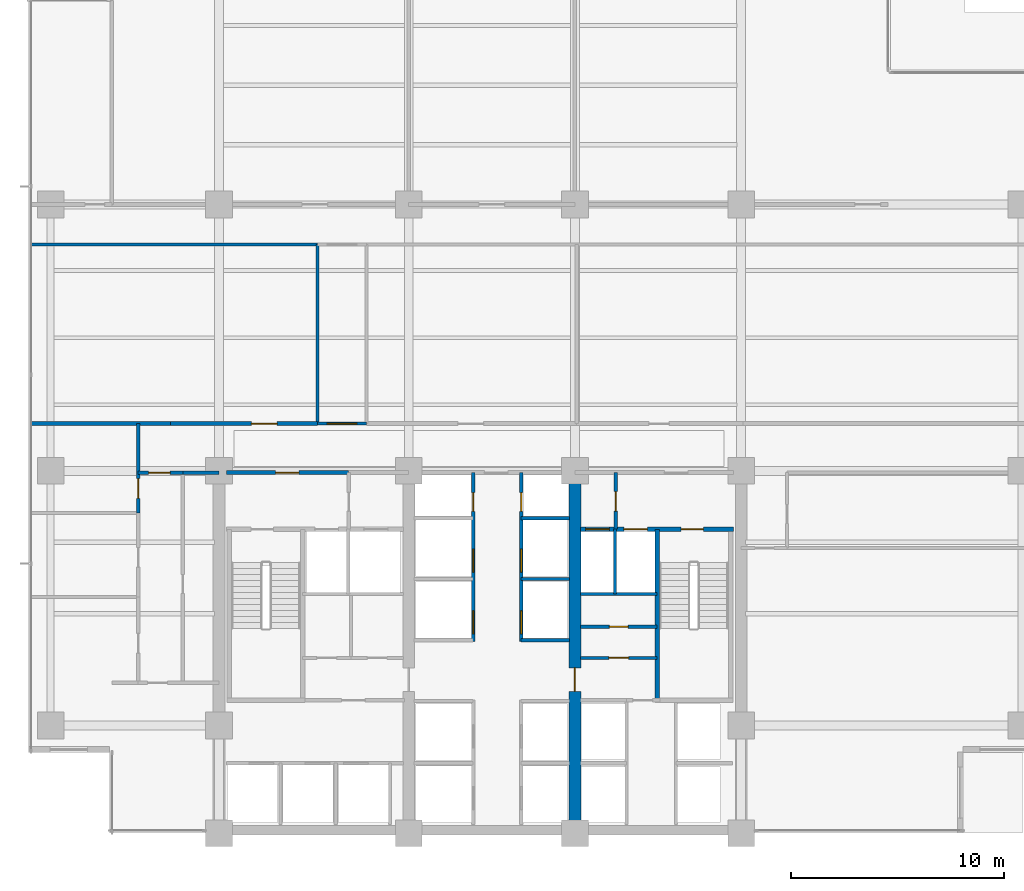
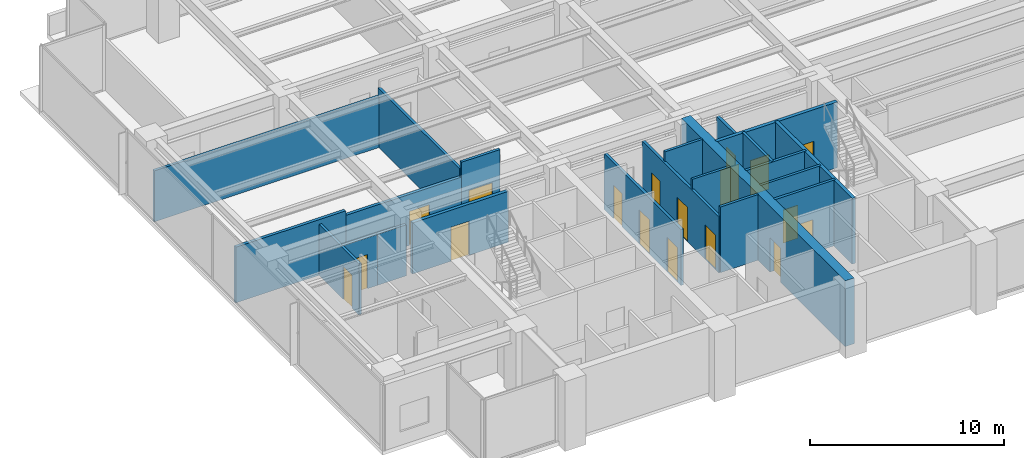
# One storey, part 9 of 16: 22 walls, 18 doors, 18 openings.
"""IFC4 building model written with IfcOpenShell, lengths in metres."""

from ifc_helpers import new_model, si_unit, direction, frame, frame_2d, origin, place, context, subcontext, project, spatial, rectangle, extrude, material, layer, layer_set, type_object, element, fill, save


model = new_model("IFC4")

# Units and contexts
model_context = context("Model", 3, precision=1e-05, world=origin(), true_north=direction((0.0, 1.0)))
body_context = subcontext(model_context, "Body", "Model", "MODEL_VIEW")
ifc_project = project(units=[si_unit("LENGTHUNIT", "METRE"), si_unit("AREAUNIT", "SQUARE_METRE"), si_unit("VOLUMEUNIT", "CUBIC_METRE"), si_unit("PLANEANGLEUNIT", "RADIAN"), si_unit("MASSUNIT", "GRAM", prefix="KILO")], contexts=[model_context])

# Site, building, storey
site_placement = place(None, origin())
site = spatial("IfcSite", under=ifc_project, at=site_placement, CompositionType="ELEMENT")
building_placement = place(site_placement, origin())
building = spatial("IfcBuilding", under=site, at=building_placement, Name="Qalmaran Belvedere Hotel", CompositionType="ELEMENT")
storey_placement = place(building_placement, frame((0.0, 0.0, 83.800048828125)))
storey = spatial("IfcBuildingStorey", under=building, at=storey_placement, Name="L20", CompositionType="ELEMENT", Elevation=83.800048828125)

# Wall, opening, door
ifc_material_1 = material(Name="Concrete C60/75", Category="concrete")
ifc_layer_1 = layer(ifc_material_1, 0.550048828125, Name="Concrete C60/75")
ifc_layer_set_1 = layer_set([ifc_layer_1], Name="Concrete C60/75")
wall_type_1 = type_object("IfcWallType", Name="WL-CORE-550-C60", PredefinedType="SHEAR", material=ifc_layer_set_1)
wall_1_placement = place(storey_placement, frame((37.0, 3.5, 0.0), z_axis=(0.0, 0.0, 1.0), x_axis=(0.0, 1.0, 0.0)))
wall_1 = element("IfcWall", 1, at=wall_1_placement, inside=storey, type_object=wall_type_1, Name="L20 Core East Spine Shear Wall", PredefinedType="SHEAR", context=body_context, shape_type="SweptSolid", body=[
    extrude(rectangle(XDim=16.89990234375, YDim=0.550048828125, at=frame_2d((8.449951171875, 0.0))), origin(), (0.0, 0.0, 1.0), 4.139892578125),
])
opening_1_placement = place(wall_1_placement, frame((6.64990234375, 0.0, 0.0)))
opening_1 = element("IfcOpeningElement", 2, at=opening_1_placement, cuts=wall_1, Name="Opening FD90", PredefinedType="OPENING", context=body_context, shape_type="SweptSolid", body=[
    extrude(rectangle(XDim=1.10009765625, YDim=2.14990234375, at=frame_2d((0.550048828125, 1.074951171875))), frame((0.0, 0.28515625, 0.0), z_axis=(0.0, -1.0, 0.0), x_axis=(1.0, 0.0, 0.0)), (0.0, 0.0, 1.0), 0.570068359375),
])
ifc_material_2 = material(Name="Steel S355JR", Category="steel")
door_type_1 = type_object("IfcDoorType", Name="DR-FD90-1100X2150", OperationType="NOTDEFINED", PredefinedType="DOOR", material=ifc_material_2)
door_1_placement = place(opening_1_placement, origin())
door_1 = element("IfcDoor", 3, at=door_1_placement, inside=storey, type_object=door_type_1, Name="L20 Core East Cross-Lobby Door", OperationType="SINGLE_SWING_LEFT", OverallHeight=2.14990234375, OverallWidth=1.10009765625, PredefinedType="DOOR", context=body_context, shape_type="SweptSolid", body=[
    extrude(rectangle(XDim=1.10009765625, YDim=2.14990234375, at=frame_2d((0.550048828125, 1.074951171875))), frame((0.0, 0.02490234375, 0.0), z_axis=(0.0, -1.0, 0.0), x_axis=(1.0, 0.0, 0.0)), (0.0, 0.0, 1.0), 0.050048828125),
])
fill(opening_1, door_1)

# Walls
ifc_material_3 = material(Name="Gypsum Stud Partition")
ifc_layer_2 = layer(ifc_material_3, 0.14990234375, Name="Gypsum Stud Partition")
ifc_layer_set_2 = layer_set([ifc_layer_2], Name="Gypsum Stud Partition")
wall_type_2 = type_object("IfcWallType", Name="WL-INT-150-EI120", PredefinedType="PARTITIONING", material=ifc_layer_set_2)
wall_2_placement = place(storey_placement, frame((38.8798828125, 14.719970703125, 0.0), z_axis=(0.0, 0.0, 1.0), x_axis=(0.0, 1.0, 0.0)))
element("IfcWall", 4, at=wall_2_placement, inside=storey, type_object=wall_type_2, Name="L20 Partition WL-FF2M-L20", PredefinedType="PARTITIONING", context=body_context, shape_type="SweptSolid", body=[
    extrude(rectangle(XDim=3.0400390625, YDim=0.14990234375, at=frame_2d((1.52001953125, 0.0))), origin(), (0.0, 0.0, 1.0), 4.139892578125),
])
for number, where, z_axis, x_axis, name in (
    (5, (34.47998046875, 12.550048828125, 0.0), (0.0, 0.0, 1.0), (1.0, 0.0, 0.0), "L20 Partition WL-PME-L20-125"),
    (6, (34.47998046875, 15.419921875, 0.0), (0.0, 0.0, 1.0), (1.0, 0.0, 0.0), "L20 Partition WL-PME-L20-154"),
    (7, (34.47998046875, 18.280029296875, 0.0), (0.0, 0.0, 1.0), (1.0, 0.0, 0.0), "L20 Partition WL-PME-L20-182"),
):
    element("IfcWall", number, at=place(storey_placement, frame(where, z_axis=z_axis, x_axis=x_axis)), inside=storey, type_object=wall_type_2, Name=name, PredefinedType="PARTITIONING", context=body_context, shape_type="SweptSolid", body=[
        extrude(rectangle(XDim=2.27001953125, YDim=0.14990234375, at=frame_2d((1.135009765625, 0.0))), origin(), (0.0, 0.0, 1.0), 4.139892578125),
    ])

# Wall, opening, door
ifc_layer_3 = layer(ifc_material_3, 0.14990234375, Name="Gypsum Stud Partition")
ifc_layer_set_3 = layer_set([ifc_layer_3], Name="Gypsum Stud Partition")
wall_type_3 = type_object("IfcWallType", Name="WL-INT-150-EI60", PredefinedType="PARTITIONING", material=ifc_layer_set_3)
wall_3_placement = place(storey_placement, frame((37.25, 13.18505859375, 0.0), z_axis=(0.0, 0.0, 1.0), x_axis=(1.0, 0.0, 0.0)))
wall_3 = element("IfcWall", 8, at=wall_3_placement, inside=storey, type_object=wall_type_3, Name="L20 Partition WL-L20-KEHM", PredefinedType="PARTITIONING", context=body_context, shape_type="SweptSolid", body=[
    extrude(rectangle(XDim=3.610107421875, YDim=0.14990234375, at=frame_2d((1.80517578125, 0.0))), origin(), (0.0, 0.0, 1.0), 4.139892578125),
])
opening_2_placement = place(wall_3_placement, frame((1.364990234375, 0.0, 0.0)))
opening_2 = element("IfcOpeningElement", 9, at=opening_2_placement, cuts=wall_3, Name="Opening FD60B", PredefinedType="OPENING", context=body_context, shape_type="SweptSolid", body=[
    extrude(rectangle(XDim=0.8798828125, YDim=2.080078125, at=frame_2d((0.43994140625, 1.0400390625))), frame((0.0, 0.0849609375, 0.0), z_axis=(0.0, -1.0, 0.0), x_axis=(1.0, 0.0, 0.0)), (0.0, 0.0, 1.0), 0.169921875),
])
door_type_2 = type_object("IfcDoorType", Name="DR-FD60B-880X2080", OperationType="NOTDEFINED", PredefinedType="DOOR", material=ifc_material_2)
door_2_placement = place(opening_2_placement, origin())
door_2 = element("IfcDoor", 10, at=door_2_placement, inside=storey, type_object=door_type_2, Name="L20 Hotel Linen Closet Door", OperationType="SINGLE_SWING_RIGHT", OverallHeight=2.080078125, OverallWidth=0.8798828125, PredefinedType="DOOR", context=body_context, shape_type="SweptSolid", body=[
    extrude(rectangle(XDim=0.8798828125, YDim=2.080078125, at=frame_2d((0.43994140625, 1.0400390625))), frame((0.0, 0.02490234375, 0.0), z_axis=(0.0, -1.0, 0.0), x_axis=(1.0, 0.0, 0.0)), (0.0, 0.0, 1.0), 0.050048828125),
])
fill(opening_2, door_2)

ifc_layer_4 = layer(ifc_material_3, 0.159912109375, Name="Gypsum Stud Partition")
ifc_layer_set_4 = layer_set([ifc_layer_4], Name="Gypsum Stud Partition")
wall_type_4 = type_object("IfcWallType", Name="WL-INT-160-EI120", PredefinedType="PARTITIONING", material=ifc_layer_set_4)
wall_4_placement = place(storey_placement, frame((38.919921875, 17.760009765625, 0.0), z_axis=(0.0, 0.0, 1.0), x_axis=(0.0, 1.0, 0.0)))
wall_4 = element("IfcWall", 11, at=wall_4_placement, inside=storey, type_object=wall_type_4, Name="L20 Partition WL-FFSV2-L20", PredefinedType="PARTITIONING", context=body_context, shape_type="SweptSolid", body=[
    extrude(rectangle(XDim=2.659912109375, YDim=0.159912109375, at=frame_2d((1.330078125, 0.0))), origin(), (0.0, 0.0, 1.0), 3.513916015625),
])
opening_3_placement = place(wall_4_placement, frame((1.77001953125, 0.0, 0.0), z_axis=(0.0, 0.0, 1.0), x_axis=(-1.0, 0.0, 0.0)))
opening_3 = element("IfcOpeningElement", 12, at=opening_3_placement, cuts=wall_4, Name="Opening FD60S1", PredefinedType="OPENING", context=body_context, shape_type="SweptSolid", body=[
    extrude(rectangle(XDim=0.919921875, YDim=2.080078125, at=frame_2d((0.4599609375, 1.0400390625))), frame((0.0, 0.08984375, 0.0), z_axis=(0.0, -1.0, 0.0), x_axis=(1.0, 0.0, 0.0)), (0.0, 0.0, 1.0), 0.179931640625),
])
ifc_material_4 = material(Name="Engineered Oak Veneer")
door_type_3 = type_object("IfcDoorType", Name="DR-FD60S-920X2080", OperationType="NOTDEFINED", PredefinedType="DOOR", material=ifc_material_4)
door_3_placement = place(opening_3_placement, origin())
door_3 = element("IfcDoor", 13, at=door_3_placement, inside=storey, type_object=door_type_3, Name="L20 Service Lobby East Door", OperationType="SINGLE_SWING_LEFT", OverallHeight=2.080078125, OverallWidth=0.919921875, PredefinedType="DOOR", context=body_context, shape_type="SweptSolid", body=[
    extrude(rectangle(XDim=0.919921875, YDim=2.080078125, at=frame_2d((0.4599609375, 1.0400390625))), frame((0.0, 0.02490234375, 0.0), z_axis=(0.0, -1.0, 0.0), x_axis=(1.0, 0.0, 0.0)), (0.0, 0.0, 1.0), 0.050048828125),
])
fill(opening_3, door_3)

# Wall
wall_5_placement = place(storey_placement, frame((37.25, 14.719970703125, 0.0), z_axis=(0.0, 0.0, 1.0), x_axis=(1.0, 0.0, 0.0)))
element("IfcWall", 14, at=wall_5_placement, inside=storey, type_object=wall_type_4, Name="L20 Partition WL-FF2S-L20", PredefinedType="PARTITIONING", context=body_context, shape_type="SweptSolid", body=[
    extrude(rectangle(XDim=3.610107421875, YDim=0.159912109375, at=frame_2d((1.80517578125, 0.0))), origin(), (0.0, 0.0, 1.0), 4.139892578125),
])

# Wall, openings, doors
wall_6_placement = place(storey_placement, frame((32.219970703125, 12.5, 0.0), z_axis=(0.0, 0.0, 1.0), x_axis=(0.0, 1.0, 0.0)))
wall_6 = element("IfcWall", 15, at=wall_6_placement, inside=storey, type_object=wall_type_4, Name="L20 Partition WL-CLBWN-L20", PredefinedType="PARTITIONING", context=body_context, shape_type="SweptSolid", body=[
    extrude(rectangle(XDim=7.919921875, YDim=0.159912109375, at=frame_2d((3.9599609375, 0.0))), origin(), (0.0, 0.0, 1.0), 3.513916015625),
])
opening_4_placement = place(wall_6_placement, frame((1.43017578125, 0.0, 0.0), z_axis=(0.0, 0.0, 1.0), x_axis=(-1.0, 0.0, 0.0)))
opening_4 = element("IfcOpeningElement", 16, at=opening_4_placement, cuts=wall_6, Name="Opening LD-P1", PredefinedType="OPENING", context=body_context, shape_type="SweptSolid", body=[
    extrude(rectangle(XDim=1.080078125, YDim=2.159912109375, at=frame_2d((0.5400390625, 1.080078125))), frame((0.0, 0.08984375, 0.0), z_axis=(0.0, -1.0, 0.0), x_axis=(1.0, 0.0, 0.0)), (0.0, 0.0, 1.0), 0.179931640625),
])
opening_5_placement = place(wall_6_placement, frame((4.330078125, 0.0, 0.0), z_axis=(0.0, 0.0, 1.0), x_axis=(-1.0, 0.0, 0.0)))
opening_5 = element("IfcOpeningElement", 17, at=opening_5_placement, cuts=wall_6, Name="Opening LD-P1", PredefinedType="OPENING", context=body_context, shape_type="SweptSolid", body=[
    extrude(rectangle(XDim=1.080078125, YDim=2.159912109375, at=frame_2d((0.5400390625, 1.080078125))), frame((0.0, 0.08984375, 0.0), z_axis=(0.0, -1.0, 0.0), x_axis=(1.0, 0.0, 0.0)), (0.0, 0.0, 1.0), 0.179931640625),
])
opening_6_placement = place(wall_6_placement, frame((6.10009765625, 0.0, 0.0)))
opening_6 = element("IfcOpeningElement", 18, at=opening_6_placement, cuts=wall_6, Name="Opening FD60B", PredefinedType="OPENING", context=body_context, shape_type="SweptSolid", body=[
    extrude(rectangle(XDim=0.8798828125, YDim=2.080078125, at=frame_2d((0.43994140625, 1.0400390625))), frame((0.0, 0.08984375, 0.0), z_axis=(0.0, -1.0, 0.0), x_axis=(1.0, 0.0, 0.0)), (0.0, 0.0, 1.0), 0.179931640625),
])
door_4_placement = place(opening_6_placement, origin())
door_4 = element("IfcDoor", 19, at=door_4_placement, inside=storey, type_object=door_type_2, Name="L20 West Riser Access Door", OperationType="SINGLE_SWING_LEFT", OverallHeight=2.080078125, OverallWidth=0.8798828125, PredefinedType="DOOR", context=body_context, shape_type="SweptSolid", body=[
    extrude(rectangle(XDim=0.8798828125, YDim=2.080078125, at=frame_2d((0.43994140625, 1.0400390625))), frame((0.0, 0.02490234375, 0.0), z_axis=(0.0, -1.0, 0.0), x_axis=(1.0, 0.0, 0.0)), (0.0, 0.0, 1.0), 0.050048828125),
])
fill(opening_6, door_4)
ifc_material_5 = material(Name="Stainless Steel 1.4401", Category="steel")
door_type_4 = type_object("IfcDoorType", Name="DR-LIFT-P1-1080X2160", OperationType="DOUBLE_DOOR_SLIDING", PredefinedType="DOOR", material=ifc_material_5)
door_5_placement = place(opening_4_placement, origin())
door_5 = element("IfcDoor", 20, at=door_5_placement, inside=storey, type_object=door_type_4, Name="L20 PM1 Lift Landing Door", OperationType="DOUBLE_DOOR_SLIDING", OverallHeight=2.159912109375, OverallWidth=1.080078125, PredefinedType="DOOR", context=body_context, shape_type="SweptSolid", body=[
    extrude(rectangle(XDim=1.080078125, YDim=2.159912109375, at=frame_2d((0.5400390625, 1.080078125))), frame((0.0, 0.02490234375, 0.0), z_axis=(0.0, -1.0, 0.0), x_axis=(1.0, 0.0, 0.0)), (0.0, 0.0, 1.0), 0.050048828125),
])
fill(opening_4, door_5)
door_6_placement = place(opening_5_placement, origin())
door_6 = element("IfcDoor", 21, at=door_6_placement, inside=storey, type_object=door_type_4, Name="L20 PM2 Lift Landing Door", OperationType="DOUBLE_DOOR_SLIDING", OverallHeight=2.159912109375, OverallWidth=1.080078125, PredefinedType="DOOR", context=body_context, shape_type="SweptSolid", body=[
    extrude(rectangle(XDim=1.080078125, YDim=2.159912109375, at=frame_2d((0.5400390625, 1.080078125))), frame((0.0, 0.02490234375, 0.0), z_axis=(0.0, -1.0, 0.0), x_axis=(1.0, 0.0, 0.0)), (0.0, 0.0, 1.0), 0.050048828125),
])
fill(opening_5, door_6)

wall_7_placement = place(storey_placement, frame((34.47998046875, 12.5, 0.0), z_axis=(0.0, 0.0, 1.0), x_axis=(0.0, 1.0, 0.0)))
wall_7 = element("IfcWall", 22, at=wall_7_placement, inside=storey, type_object=wall_type_4, Name="L20 Partition WL-CLBEN-L20", PredefinedType="PARTITIONING", context=body_context, shape_type="SweptSolid", body=[
    extrude(rectangle(XDim=7.919921875, YDim=0.159912109375, at=frame_2d((3.9599609375, 0.0))), origin(), (0.0, 0.0, 1.0), 3.513916015625),
])
opening_7_placement = place(wall_7_placement, frame((0.35009765625, 0.0, 0.0)))
opening_7 = element("IfcOpeningElement", 23, at=opening_7_placement, cuts=wall_7, Name="Opening LD-P1", PredefinedType="OPENING", context=body_context, shape_type="SweptSolid", body=[
    extrude(rectangle(XDim=1.080078125, YDim=2.159912109375, at=frame_2d((0.5400390625, 1.080078125))), frame((0.0, 0.08984375, 0.0), z_axis=(0.0, -1.0, 0.0), x_axis=(1.0, 0.0, 0.0)), (0.0, 0.0, 1.0), 0.179931640625),
])
opening_8_placement = place(wall_7_placement, frame((3.25, 0.0, 0.0)))
opening_8 = element("IfcOpeningElement", 24, at=opening_8_placement, cuts=wall_7, Name="Opening LD-P1", PredefinedType="OPENING", context=body_context, shape_type="SweptSolid", body=[
    extrude(rectangle(XDim=1.080078125, YDim=2.159912109375, at=frame_2d((0.5400390625, 1.080078125))), frame((0.0, 0.08984375, 0.0), z_axis=(0.0, -1.0, 0.0), x_axis=(1.0, 0.0, 0.0)), (0.0, 0.0, 1.0), 0.179931640625),
])
opening_9_placement = place(wall_7_placement, frame((6.97998046875, 0.0, 0.0), z_axis=(0.0, 0.0, 1.0), x_axis=(-1.0, 0.0, 0.0)))
opening_9 = element("IfcOpeningElement", 25, at=opening_9_placement, cuts=wall_7, Name="Opening FD60B", PredefinedType="OPENING", context=body_context, shape_type="SweptSolid", body=[
    extrude(rectangle(XDim=0.8798828125, YDim=2.080078125, at=frame_2d((0.43994140625, 1.0400390625))), frame((0.0, 0.08984375, 0.0), z_axis=(0.0, -1.0, 0.0), x_axis=(1.0, 0.0, 0.0)), (0.0, 0.0, 1.0), 0.179931640625),
])
door_7_placement = place(opening_9_placement, origin())
door_7 = element("IfcDoor", 26, at=door_7_placement, inside=storey, type_object=door_type_2, Name="L20 East Riser Access Door", OperationType="SINGLE_SWING_RIGHT", OverallHeight=2.080078125, OverallWidth=0.8798828125, PredefinedType="DOOR", context=body_context, shape_type="SweptSolid", body=[
    extrude(rectangle(XDim=0.8798828125, YDim=2.080078125, at=frame_2d((0.43994140625, 1.0400390625))), frame((0.0, 0.02490234375, 0.0), z_axis=(0.0, -1.0, 0.0), x_axis=(1.0, 0.0, 0.0)), (0.0, 0.0, 1.0), 0.050048828125),
])
fill(opening_9, door_7)
door_8_placement = place(opening_7_placement, origin())
door_8 = element("IfcDoor", 27, at=door_8_placement, inside=storey, type_object=door_type_4, Name="L20 PM3 Lift Landing Door", OperationType="DOUBLE_DOOR_SLIDING", OverallHeight=2.159912109375, OverallWidth=1.080078125, PredefinedType="DOOR", context=body_context, shape_type="SweptSolid", body=[
    extrude(rectangle(XDim=1.080078125, YDim=2.159912109375, at=frame_2d((0.5400390625, 1.080078125))), frame((0.0, 0.02490234375, 0.0), z_axis=(0.0, -1.0, 0.0), x_axis=(1.0, 0.0, 0.0)), (0.0, 0.0, 1.0), 0.050048828125),
])
fill(opening_7, door_8)
door_9_placement = place(opening_8_placement, origin())
door_9 = element("IfcDoor", 28, at=door_9_placement, inside=storey, type_object=door_type_4, Name="L20 PM4 Lift Landing Door", OperationType="DOUBLE_DOOR_SLIDING", OverallHeight=2.159912109375, OverallWidth=1.080078125, PredefinedType="DOOR", context=body_context, shape_type="SweptSolid", body=[
    extrude(rectangle(XDim=1.080078125, YDim=2.159912109375, at=frame_2d((0.5400390625, 1.080078125))), frame((0.0, 0.02490234375, 0.0), z_axis=(0.0, -1.0, 0.0), x_axis=(1.0, 0.0, 0.0)), (0.0, 0.0, 1.0), 0.050048828125),
])
fill(opening_8, door_9)

# Wall, opening, door
ifc_layer_5 = layer(ifc_material_3, 0.159912109375, Name="Gypsum Stud Partition")
ifc_layer_set_5 = layer_set([ifc_layer_5], Name="Gypsum Stud Partition")
wall_type_5 = type_object("IfcWallType", Name="WL-INT-160-EI60", PredefinedType="PARTITIONING", material=ifc_layer_set_5)
wall_8_placement = place(storey_placement, frame((37.25, 11.719970703125, 0.0), z_axis=(0.0, 0.0, 1.0), x_axis=(1.0, 0.0, 0.0)))
wall_8 = element("IfcWall", 29, at=wall_8_placement, inside=storey, type_object=wall_type_5, Name="L20 Partition WL-L20-KEE1", PredefinedType="PARTITIONING", context=body_context, shape_type="SweptSolid", body=[
    extrude(rectangle(XDim=3.610107421875, YDim=0.159912109375, at=frame_2d((1.80517578125, 0.0))), origin(), (0.0, 0.0, 1.0), 4.139892578125),
])
opening_10_placement = place(wall_8_placement, frame((1.344970703125, 0.0, 0.0)))
opening_10 = element("IfcOpeningElement", 30, at=opening_10_placement, cuts=wall_8, Name="Opening FD60S1", PredefinedType="OPENING", context=body_context, shape_type="SweptSolid", body=[
    extrude(rectangle(XDim=0.919921875, YDim=2.080078125, at=frame_2d((0.4599609375, 1.0400390625))), frame((0.0, 0.08984375, 0.0), z_axis=(0.0, -1.0, 0.0), x_axis=(1.0, 0.0, 0.0)), (0.0, 0.0, 1.0), 0.179931640625),
])
door_10_placement = place(opening_10_placement, origin())
door_10 = element("IfcDoor", 31, at=door_10_placement, inside=storey, type_object=door_type_3, Name="L20 Low Voltage Switch Room Door", OperationType="SINGLE_SWING_LEFT", OverallHeight=2.080078125, OverallWidth=0.919921875, PredefinedType="DOOR", context=body_context, shape_type="SweptSolid", body=[
    extrude(rectangle(XDim=0.919921875, YDim=2.080078125, at=frame_2d((0.4599609375, 1.0400390625))), frame((0.0, 0.02490234375, 0.0), z_axis=(0.0, -1.0, 0.0), x_axis=(1.0, 0.0, 0.0)), (0.0, 0.0, 1.0), 0.050048828125),
])
fill(opening_10, door_10)

wall_9_placement = place(storey_placement, frame((16.5, 18.52001953125, 0.0), z_axis=(0.0, 0.0, 1.0), x_axis=(0.0, 1.0, 0.0)))
wall_9 = element("IfcWall", 32, at=wall_9_placement, inside=storey, type_object=wall_type_5, Name="L20 Partition WL-L20-WCC3", PredefinedType="PARTITIONING", context=body_context, shape_type="SweptSolid", body=[
    extrude(rectangle(XDim=4.199951171875, YDim=0.159912109375, at=frame_2d((2.10009765625, 0.0))), origin(), (0.0, 0.0, 1.0), 3.212890625),
])
opening_11_placement = place(wall_9_placement, frame((0.693359375, 0.0, 0.0)))
opening_11 = element("IfcOpeningElement", 33, at=opening_11_placement, cuts=wall_9, Name="Opening FD60S1", PredefinedType="OPENING", context=body_context, shape_type="SweptSolid", body=[
    extrude(rectangle(XDim=0.919921875, YDim=2.080078125, at=frame_2d((0.4599609375, 1.0400390625))), frame((0.0, 0.08984375, 0.0), z_axis=(0.0, -1.0, 0.0), x_axis=(1.0, 0.0, 0.0)), (0.0, 0.0, 1.0), 0.179931640625),
])
door_11_placement = place(opening_11_placement, origin())
door_11 = element("IfcDoor", 34, at=door_11_placement, inside=storey, type_object=door_type_3, Name="L20 Accessible WC Door", OperationType="SINGLE_SWING_RIGHT", OverallHeight=2.080078125, OverallWidth=0.919921875, PredefinedType="DOOR", context=body_context, shape_type="SweptSolid", body=[
    extrude(rectangle(XDim=0.919921875, YDim=2.080078125, at=frame_2d((0.4599609375, 1.0400390625))), frame((0.0, 0.02490234375, 0.0), z_axis=(0.0, -1.0, 0.0), x_axis=(1.0, 0.0, 0.0)), (0.0, 0.0, 1.0), 0.050048828125),
])
fill(opening_11, door_11)

# Wall
wall_10_placement = place(storey_placement, frame((18.60009765625, 20.419921875, 0.0), z_axis=(0.0, 0.0, 1.0), x_axis=(1.0, 0.0, 0.0)))
element("IfcWall", 35, at=wall_10_placement, inside=storey, type_object=wall_type_5, Name="L20 Partition WL-L20-WCCEN", PredefinedType="PARTITIONING", context=body_context, shape_type="SweptSolid", body=[
    extrude(rectangle(XDim=1.699951171875, YDim=0.159912109375, at=frame_2d((0.85009765625, 0.0))), origin(), (0.0, 0.0, 1.0), 3.212890625),
])

# Wall, opening, door
wall_11_placement = place(storey_placement, frame((16.5, 20.419921875, 0.0), z_axis=(0.0, 0.0, 1.0), x_axis=(1.0, 0.0, 0.0)))
wall_11 = element("IfcWall", 36, at=wall_11_placement, inside=storey, type_object=wall_type_5, Name="L20 Partition WL-L20-XCRW", PredefinedType="PARTITIONING", context=body_context, shape_type="SweptSolid", body=[
    extrude(rectangle(XDim=2.10009765625, YDim=0.159912109375, at=frame_2d((1.050048828125, 0.0))), origin(), (0.0, 0.0, 1.0), 3.212890625),
])
opening_12_placement = place(wall_11_placement, frame((0.5, 0.0, 0.0)))
opening_12 = element("IfcOpeningElement", 37, at=opening_12_placement, cuts=wall_11, Name="Opening FD90B", PredefinedType="OPENING", context=body_context, shape_type="SweptSolid", body=[
    extrude(rectangle(XDim=1.0, YDim=2.14990234375, at=frame_2d((0.5, 1.074951171875))), frame((0.0, 0.08984375, 0.0), z_axis=(0.0, -1.0, 0.0), x_axis=(1.0, 0.0, 0.0)), (0.0, 0.0, 1.0), 0.179931640625),
])
door_type_5 = type_object("IfcDoorType", Name="DR-FD90B-1000X2150", OperationType="NOTDEFINED", PredefinedType="DOOR", material=ifc_material_2)
door_12_placement = place(opening_12_placement, origin())
door_12 = element("IfcDoor", 38, at=door_12_placement, inside=storey, type_object=door_type_5, Name="L20 Restroom Corridor Door", OperationType="SINGLE_SWING_RIGHT", OverallHeight=2.14990234375, OverallWidth=1.0, PredefinedType="DOOR", context=body_context, shape_type="SweptSolid", body=[
    extrude(rectangle(XDim=1.0, YDim=2.14990234375, at=frame_2d((0.5, 1.074951171875))), frame((0.0, 0.02490234375, 0.0), z_axis=(0.0, -1.0, 0.0), x_axis=(1.0, 0.0, 0.0)), (0.0, 0.0, 1.0), 0.050048828125),
])
fill(opening_12, door_12)

# Wall
wall_12_placement = place(storey_placement, frame((24.919921875, 22.719970703125, 0.0), z_axis=(0.0, 0.0, 1.0), x_axis=(0.0, 1.0, 0.0)))
element("IfcWall", 39, at=wall_12_placement, inside=storey, type_object=wall_type_5, Name="L20 Partition WL-L20-NPW", PredefinedType="PARTITIONING", context=body_context, shape_type="SweptSolid", body=[
    extrude(rectangle(XDim=8.400146484375, YDim=0.159912109375, at=frame_2d((4.2001953125, 0.0))), origin(), (0.0, 0.0, 1.0), 3.718017578125),
])

# Wall, opening, door
wall_13_placement = place(storey_placement, frame((24.919921875, 22.719970703125, 0.0), z_axis=(0.0, 0.0, 1.0), x_axis=(1.0, 0.0, 0.0)))
wall_13 = element("IfcWall", 40, at=wall_13_placement, inside=storey, type_object=wall_type_5, Name="L20 Partition WL-L20-XNPS", PredefinedType="PARTITIONING", context=body_context, shape_type="SweptSolid", body=[
    extrude(rectangle(XDim=2.300048828125, YDim=0.159912109375, at=frame_2d((1.14990234375, 0.0))), origin(), (0.0, 0.0, 1.0), 4.139892578125),
])
opening_13_placement = place(wall_13_placement, frame((0.449951171875, 0.0, 0.0)))
opening_13 = element("IfcOpeningElement", 41, at=opening_13_placement, cuts=wall_13, Name="Opening FD90D", PredefinedType="OPENING", context=body_context, shape_type="SweptSolid", body=[
    extrude(rectangle(XDim=1.39990234375, YDim=2.199951171875, at=frame_2d((0.699951171875, 1.10009765625))), frame((0.0, 0.08984375, 0.0), z_axis=(0.0, -1.0, 0.0), x_axis=(1.0, 0.0, 0.0)), (0.0, 0.0, 1.0), 0.179931640625),
])
door_type_6 = type_object("IfcDoorType", Name="DR-FD90D-1400X2200", OperationType="NOTDEFINED", PredefinedType="DOOR", material=ifc_material_2)
door_13_placement = place(opening_13_placement, origin())
door_13 = element("IfcDoor", 42, at=door_13_placement, inside=storey, type_object=door_type_6, Name="L20 Promenade South Door", OperationType="DOUBLE_DOOR_SINGLE_SWING", OverallHeight=2.199951171875, OverallWidth=1.39990234375, PredefinedType="DOOR", context=body_context, shape_type="SweptSolid", body=[
    extrude(rectangle(XDim=1.39990234375, YDim=2.199951171875, at=frame_2d((0.699951171875, 1.10009765625))), frame((0.0, 0.02490234375, 0.0), z_axis=(0.0, -1.0, 0.0), x_axis=(1.0, 0.0, 0.0)), (0.0, 0.0, 1.0), 0.050048828125),
])
fill(opening_13, door_13)

# Walls
wall_14_placement = place(storey_placement, frame((11.469970703125, 31.1201171875, 0.0), z_axis=(0.0, 0.0, 1.0), x_axis=(1.0, 0.0, 0.0)))
element("IfcWall", 43, at=wall_14_placement, inside=storey, type_object=wall_type_5, Name="L20 Partition WL-L20-NGS1", PredefinedType="PARTITIONING", context=body_context, shape_type="SweptSolid", body=[
    extrude(rectangle(XDim=13.449951171875, YDim=0.159912109375, at=frame_2d((6.72509765625, 0.0))), origin(), (0.0, 0.0, 1.0), 3.212890625),
])
ifc_layer_6 = layer(ifc_material_3, 0.179931640625, Name="Gypsum Stud Partition")
ifc_layer_set_6 = layer_set([ifc_layer_6], Name="Gypsum Stud Partition")
wall_type_6 = type_object("IfcWallType", Name="WL-INT-180-EI60", PredefinedType="PARTITIONING", material=ifc_layer_set_6)
wall_15_placement = place(storey_placement, frame((11.469970703125, 22.719970703125, 0.0), z_axis=(0.0, 0.0, 1.0), x_axis=(1.0, 0.0, 0.0)))
element("IfcWall", 44, at=wall_15_placement, inside=storey, type_object=wall_type_6, Name="L20 Partition WL-L20-WCN", PredefinedType="PARTITIONING", context=body_context, shape_type="SweptSolid", body=[
    extrude(rectangle(XDim=6.550048828125, YDim=0.179931640625, at=frame_2d((3.27490234375, 0.0))), origin(), (0.0, 0.0, 1.0), 3.5029296875),
])

# Wall, opening, door
wall_16_placement = place(storey_placement, frame((18.02001953125, 22.719970703125, 0.0), z_axis=(0.0, 0.0, 1.0), x_axis=(1.0, 0.0, 0.0)))
wall_16 = element("IfcWall", 45, at=wall_16_placement, inside=storey, type_object=wall_type_6, Name="L20 Partition WL-L20-MCS1", PredefinedType="PARTITIONING", context=body_context, shape_type="SweptSolid", body=[
    extrude(rectangle(XDim=6.89990234375, YDim=0.179931640625, at=frame_2d((3.449951171875, 0.0))), origin(), (0.0, 0.0, 1.0), 3.212890625),
])
opening_14_placement = place(wall_16_placement, frame((3.800048828125, 0.0, 0.0)))
opening_14 = element("IfcOpeningElement", 46, at=opening_14_placement, cuts=wall_16, Name="Opening FD60P", PredefinedType="OPENING", context=body_context, shape_type="SweptSolid", body=[
    extrude(rectangle(XDim=1.199951171875, YDim=2.139892578125, at=frame_2d((0.60009765625, 1.06982421875))), frame((0.0, 0.10009765625, 0.0), z_axis=(0.0, -1.0, 0.0), x_axis=(1.0, 0.0, 0.0)), (0.0, 0.0, 1.0), 0.199951171875),
])
door_type_7 = type_object("IfcDoorType", Name="DR-FD60P-1200X2140", OperationType="NOTDEFINED", PredefinedType="DOOR", material=ifc_material_4)
door_14_placement = place(opening_14_placement, origin())
door_14 = element("IfcDoor", 47, at=door_14_placement, inside=storey, type_object=door_type_7, Name="L20 Sky Lobby Reception Hall Door", OperationType="DOUBLE_DOOR_SINGLE_SWING", OverallHeight=2.139892578125, OverallWidth=1.199951171875, PredefinedType="DOOR", context=body_context, shape_type="SweptSolid", body=[
    extrude(rectangle(XDim=1.199951171875, YDim=2.139892578125, at=frame_2d((0.60009765625, 1.06982421875))), frame((0.0, 0.02490234375, 0.0), z_axis=(0.0, -1.0, 0.0), x_axis=(1.0, 0.0, 0.0)), (0.0, 0.0, 1.0), 0.050048828125),
])
fill(opening_14, door_14)

ifc_material_6 = material(Name="Concrete C30/37 Blockwork", Category="masonry")
ifc_layer_7 = layer(ifc_material_6, 0.199951171875, Name="Concrete C30/37 Blockwork")
ifc_layer_set_7 = layer_set([ifc_layer_7], Name="Concrete C30/37 Blockwork")
wall_type_7 = type_object("IfcWallType", Name="WL-INT-200-EI120", PredefinedType="PARTITIONING", material=ifc_layer_set_7)
wall_17_placement = place(storey_placement, frame((20.64990234375, 20.419921875, 0.0), z_axis=(0.0, 0.0, 1.0), x_axis=(1.0, 0.0, 0.0)))
wall_17 = element("IfcWall", 48, at=wall_17_placement, inside=storey, type_object=wall_type_7, Name="L20 Partition WL-CN1A-L20", PredefinedType="PARTITIONING", context=body_context, shape_type="SweptSolid", body=[
    extrude(rectangle(XDim=5.72998046875, YDim=0.199951171875, at=frame_2d((2.864990234375, 0.0))), origin(), (0.0, 0.0, 1.0), 3.212890625),
])
opening_15_placement = place(wall_17_placement, frame((2.300048828125, 0.0, 0.0)))
opening_15 = element("IfcOpeningElement", 49, at=opening_15_placement, cuts=wall_17, Name="Opening FD90", PredefinedType="OPENING", context=body_context, shape_type="SweptSolid", body=[
    extrude(rectangle(XDim=1.10009765625, YDim=2.14990234375, at=frame_2d((0.550048828125, 1.074951171875))), frame((0.0, 0.10986328125, 0.0), z_axis=(0.0, -1.0, 0.0), x_axis=(1.0, 0.0, 0.0)), (0.0, 0.0, 1.0), 0.219970703125),
])
door_15_placement = place(opening_15_placement, origin())
door_15 = element("IfcDoor", 50, at=door_15_placement, inside=storey, type_object=door_type_1, Name="L20 FF1 Lobby Corridor Door", OperationType="SINGLE_SWING_RIGHT", OverallHeight=2.14990234375, OverallWidth=1.10009765625, PredefinedType="DOOR", context=body_context, shape_type="SweptSolid", body=[
    extrude(rectangle(XDim=1.10009765625, YDim=2.14990234375, at=frame_2d((0.550048828125, 1.074951171875))), frame((0.0, 0.02490234375, 0.0), z_axis=(0.0, -1.0, 0.0), x_axis=(1.0, 0.0, 0.0)), (0.0, 0.0, 1.0), 0.050048828125),
])
fill(opening_15, door_15)

# Wall
ifc_material_7 = material(Name="Concrete C50/60", Category="concrete")
ifc_layer_8 = layer(ifc_material_7, 0.2099609375, Name="Concrete C50/60")
ifc_layer_set_8 = layer_set([ifc_layer_8], Name="Concrete C50/60")
wall_type_8 = type_object("IfcWallType", Name="WL-STAIR-210-C50", PredefinedType="SHEAR", material=ifc_layer_set_8)
wall_18_placement = place(storey_placement, frame((40.85498046875, 9.7451171875, 0.0), z_axis=(0.0, 0.0, 1.0), x_axis=(0.0, 1.0, 0.0)))
element("IfcWall", 51, at=wall_18_placement, inside=storey, type_object=wall_type_8, Name="L20 Stair ST-2 West Bearing Wall", PredefinedType="SHEAR", context=body_context, shape_type="SweptSolid", body=[
    extrude(rectangle(XDim=8.009765625, YDim=0.2099609375, at=frame_2d((4.0048828125, 0.0))), origin(), (0.0, 0.0, 1.0), 4.139892578125),
])

# Wall, openings, doors
wall_19_placement = place(storey_placement, frame((37.25, 17.7548828125, 0.0), z_axis=(0.0, 0.0, 1.0), x_axis=(1.0, 0.0, 0.0)))
wall_19 = element("IfcWall", 52, at=wall_19_placement, inside=storey, type_object=wall_type_8, Name="L20 East Lobby and Stair ST-2 North Bearing Wall", PredefinedType="SHEAR", context=body_context, shape_type="SweptSolid", body=[
    extrude(rectangle(XDim=7.199951171875, YDim=0.2099609375, at=frame_2d((3.60009765625, 0.0))), origin(), (0.0, 0.0, 1.0), 4.139892578125),
])
opening_16_placement = place(wall_19_placement, frame((0.25, 0.0, 0.0)))
opening_16 = element("IfcOpeningElement", 53, at=opening_16_placement, cuts=wall_19, Name="Opening LD-SV", PredefinedType="OPENING", context=body_context, shape_type="SweptSolid", body=[
    extrude(rectangle(XDim=1.1201171875, YDim=2.199951171875, at=frame_2d((0.56005859375, 1.10009765625))), frame((0.0, 0.114990234375, 0.0), z_axis=(0.0, -1.0, 0.0), x_axis=(1.0, 0.0, 0.0)), (0.0, 0.0, 1.0), 0.22998046875),
])
opening_17_placement = place(wall_19_placement, frame((2.050048828125, 0.0, 0.0)))
opening_17 = element("IfcOpeningElement", 54, at=opening_17_placement, cuts=wall_19, Name="Opening LD-FF", PredefinedType="OPENING", context=body_context, shape_type="SweptSolid", body=[
    extrude(rectangle(XDim=1.10009765625, YDim=2.179931640625, at=frame_2d((0.550048828125, 1.08984375))), frame((0.0, 0.114990234375, 0.0), z_axis=(0.0, -1.0, 0.0), x_axis=(1.0, 0.0, 0.0)), (0.0, 0.0, 1.0), 0.22998046875),
])
opening_18_placement = place(wall_19_placement, frame((5.780029296875, 0.0, 0.0), z_axis=(0.0, 0.0, 1.0), x_axis=(-1.0, 0.0, 0.0)))
opening_18 = element("IfcOpeningElement", 55, at=opening_18_placement, cuts=wall_19, Name="Opening FD90S2", PredefinedType="OPENING", context=body_context, shape_type="SweptSolid", body=[
    extrude(rectangle(XDim=1.050048828125, YDim=2.14990234375, at=frame_2d((0.52490234375, 1.074951171875))), frame((0.0, 0.114990234375, 0.0), z_axis=(0.0, -1.0, 0.0), x_axis=(1.0, 0.0, 0.0)), (0.0, 0.0, 1.0), 0.22998046875),
])
door_type_8 = type_object("IfcDoorType", Name="DR-FD90S-1050X2150", OperationType="NOTDEFINED", PredefinedType="DOOR", material=ifc_material_2)
door_16_placement = place(opening_18_placement, origin())
door_16 = element("IfcDoor", 56, at=door_16_placement, inside=storey, type_object=door_type_8, Name="L20 Stair ST-2 Door", OperationType="SINGLE_SWING_LEFT", OverallHeight=2.14990234375, OverallWidth=1.050048828125, PredefinedType="DOOR", context=body_context, shape_type="SweptSolid", body=[
    extrude(rectangle(XDim=1.050048828125, YDim=2.14990234375, at=frame_2d((0.52490234375, 1.074951171875))), frame((0.0, 0.02490234375, 0.0), z_axis=(0.0, -1.0, 0.0), x_axis=(1.0, 0.0, 0.0)), (0.0, 0.0, 1.0), 0.050048828125),
])
fill(opening_18, door_16)
door_type_9 = type_object("IfcDoorType", Name="DR-LIFT-FF-1100X2180", OperationType="DOUBLE_DOOR_SLIDING", PredefinedType="DOOR", material=ifc_material_5)
door_17_placement = place(opening_17_placement, origin())
door_17 = element("IfcDoor", 57, at=door_17_placement, inside=storey, type_object=door_type_9, Name="L20 FF2 Lift Landing Door", OperationType="DOUBLE_DOOR_SLIDING", OverallHeight=2.179931640625, OverallWidth=1.10009765625, PredefinedType="DOOR", context=body_context, shape_type="SweptSolid", body=[
    extrude(rectangle(XDim=1.10009765625, YDim=2.179931640625, at=frame_2d((0.550048828125, 1.08984375))), frame((0.0, 0.02490234375, 0.0), z_axis=(0.0, -1.0, 0.0), x_axis=(1.0, 0.0, 0.0)), (0.0, 0.0, 1.0), 0.050048828125),
])
fill(opening_17, door_17)
door_type_10 = type_object("IfcDoorType", Name="DR-LIFT-SV-1120X2200", OperationType="DOUBLE_DOOR_SLIDING", PredefinedType="DOOR", material=ifc_material_5)
door_18_placement = place(opening_16_placement, origin())
door_18 = element("IfcDoor", 58, at=door_18_placement, inside=storey, type_object=door_type_10, Name="L20 SV2 Lift Landing Door", OperationType="DOUBLE_DOOR_SLIDING", OverallHeight=2.199951171875, OverallWidth=1.1201171875, PredefinedType="DOOR", context=body_context, shape_type="SweptSolid", body=[
    extrude(rectangle(XDim=1.1201171875, YDim=2.199951171875, at=frame_2d((0.56005859375, 1.10009765625))), frame((0.0, 0.02490234375, 0.0), z_axis=(0.0, -1.0, 0.0), x_axis=(1.0, 0.0, 0.0)), (0.0, 0.0, 1.0), 0.050048828125),
])
fill(opening_16, door_18)

save(model, "model.ifc")
